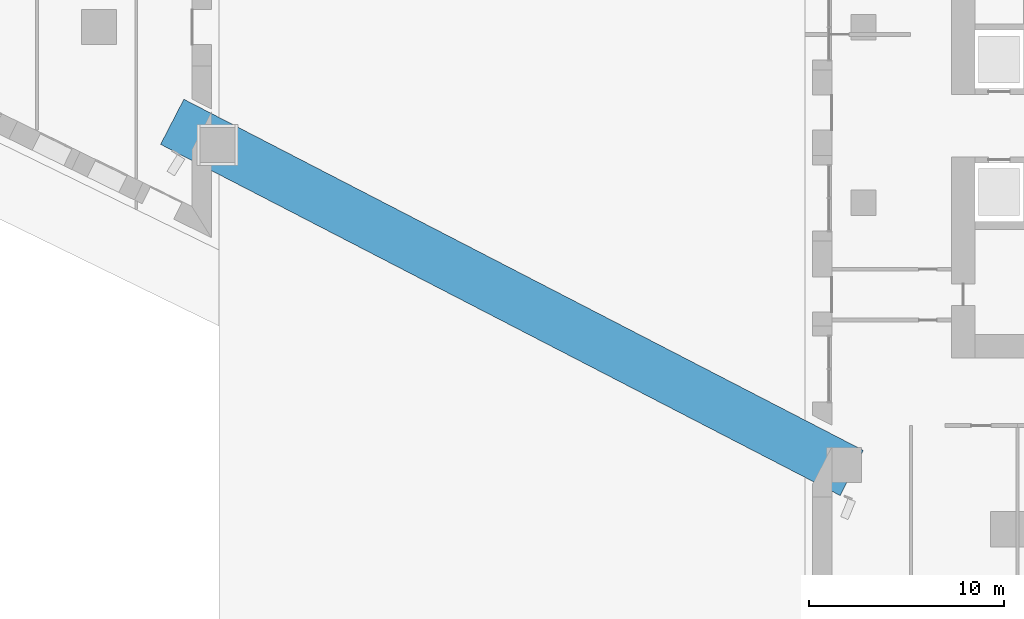
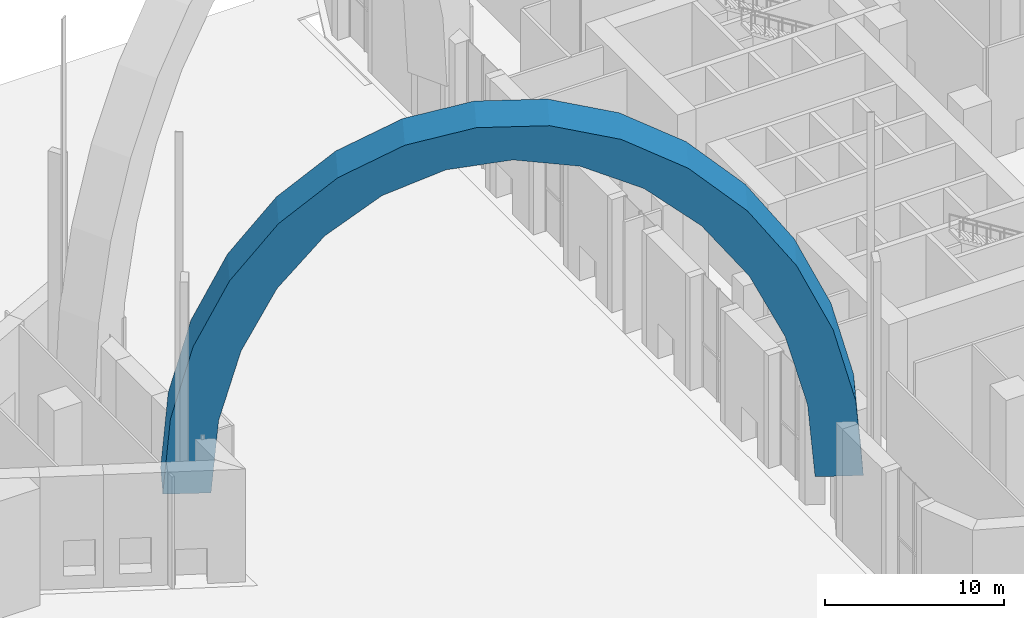
# One storey, part 3 of 22: 1 member.
"""IFC4 building model written with IfcOpenShell, lengths in metres."""

from ifc_helpers import new_model, si_unit, direction, frame, origin, origin_2d, place, context, subcontext, project, spatial, polyline, rectangle, outline, extrude, material, material_profile, profile_set, type_object, element, save


model = new_model("IFC4")

# Units and contexts
model_context = context("Model", 3, precision=1e-05, world=origin(), true_north=direction((0.0, 1.0)))
body_context = subcontext(model_context, "Body", "Model", "MODEL_VIEW")
ifc_project = project(units=[si_unit("LENGTHUNIT", "METRE"), si_unit("AREAUNIT", "SQUARE_METRE"), si_unit("VOLUMEUNIT", "CUBIC_METRE"), si_unit("PLANEANGLEUNIT", "RADIAN"), si_unit("MASSUNIT", "GRAM", prefix="KILO")], contexts=[model_context])

# Site, building, storey
site_placement = place(None, origin())
site = spatial("IfcSite", under=ifc_project, at=site_placement, CompositionType="ELEMENT")
building_placement = place(site_placement, origin())
building = spatial("IfcBuilding", under=site, at=building_placement, Name="Ostrand Prow Hotel Tower", CompositionType="ELEMENT")
storey_placement = place(building_placement, origin())
storey = spatial("IfcBuildingStorey", under=building, at=storey_placement, Name="L00", CompositionType="ELEMENT", Elevation=0.0)

# Member
ifc_material = material(Name="Concrete C80/95", Category="concrete")
ifc_material_profile = material_profile(ifc_material, rectangle(XDim=2.60009765625, YDim=2.39990234375, at=origin_2d()), Name="RC 2600x2400")
ifc_profile_set = profile_set([ifc_material_profile], Name="Concrete C80/95")
member_type = type_object("IfcMemberType", Name="Arch rib 2600x2400 C80/95", PredefinedType="BRACE", material=ifc_profile_set)
member_placement = place(storey_placement, frame((11.4033203125, -7.2421875, 4.0), z_axis=(-0.459072783611, -0.888398660139, 3.240806e-06), x_axis=(0.076029081371, -0.039283775032, 0.996331452783)))
element("IfcMember", 1, at=member_placement, inside=storey, type_object=member_type, Name="Arch rib S", PredefinedType="BRACE", context=body_context, shape_type="SweptSolid", body=[
    extrude(outline(polyline([(0.0, 0.0), (4.946858721386583, -5.551115123125783e-17), (9.718431650963911, -0.8434786496822961), (14.074876417463829, -2.4882414042596457), (17.798115697577764, -4.851647899565332), (20.7013319565618, -7.815598077982364), (22.638903203955344, -11.230947135809673), (23.51357781204481, -14.92686352451102), (23.281946082215708, -18.717474086649872), (21.955197802388938, -22.413536667256032), (19.59991585357903, -25.82882668776669), (16.33424985596045, -28.7926461597059), (12.32209420704196, -31.156216036980688), (7.764249036021747, -32.8010296588737), (2.8898572710145665, -33.64471496405918), (3.121040729764448, -36.336232521920195), (8.169942332484984, -35.473062478121015), (12.924845827353217, -33.79455637379749), (17.17815423538156, -31.374323623915355), (20.743673286706517, -28.318335915643168), (23.46597647623212, -24.75984500109079), (25.22559659149075, -20.854209004350086), (25.946072870408827, -16.772500034841194), (25.59568149655191, -12.693122821402435), (24.189710128929253, -8.794061563398628), (21.789850615570206, -5.245809696319691), (18.500587689895738, -2.2035598418646005), (14.46616047394559, 0.19964302332077422), (9.862442130272889, 1.8590035853638178), (4.8909421205598775, 2.702188802307311), (-0.23119242977193635, 2.6916219891355677), (0.0, 0.0)])), origin(), (0.0, 0.0, -1.0), 2.60009765625),
])

save(model, "model.ifc")
